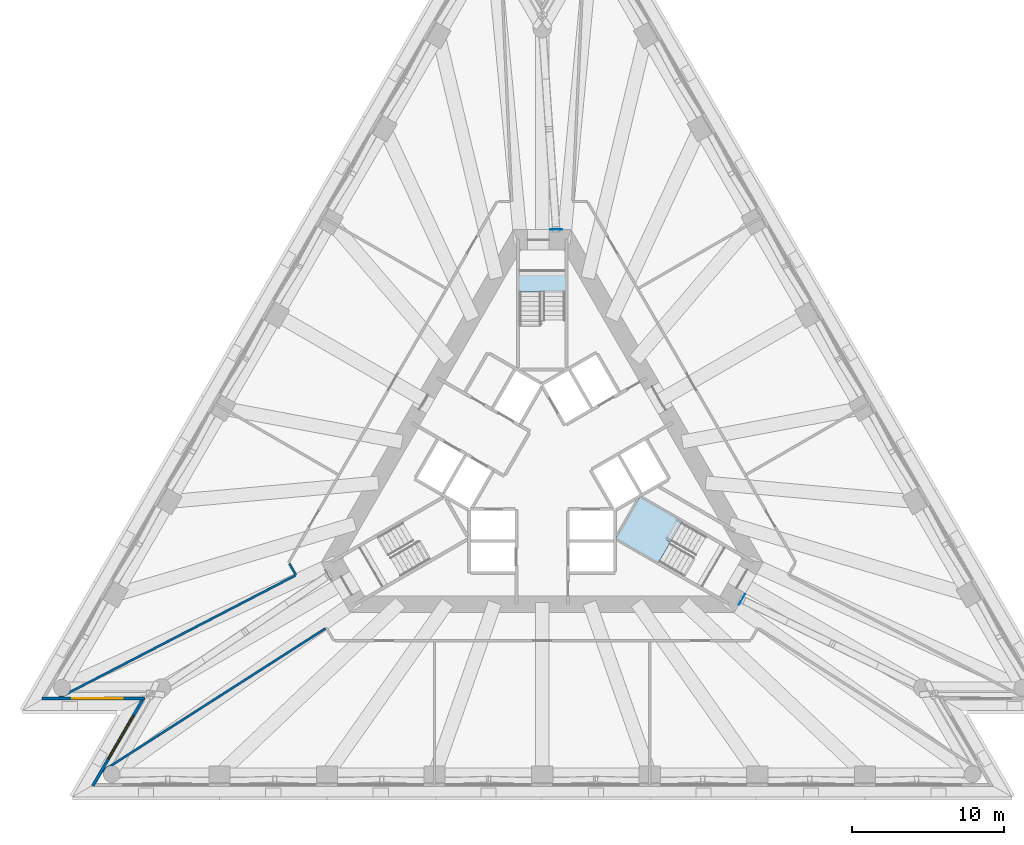
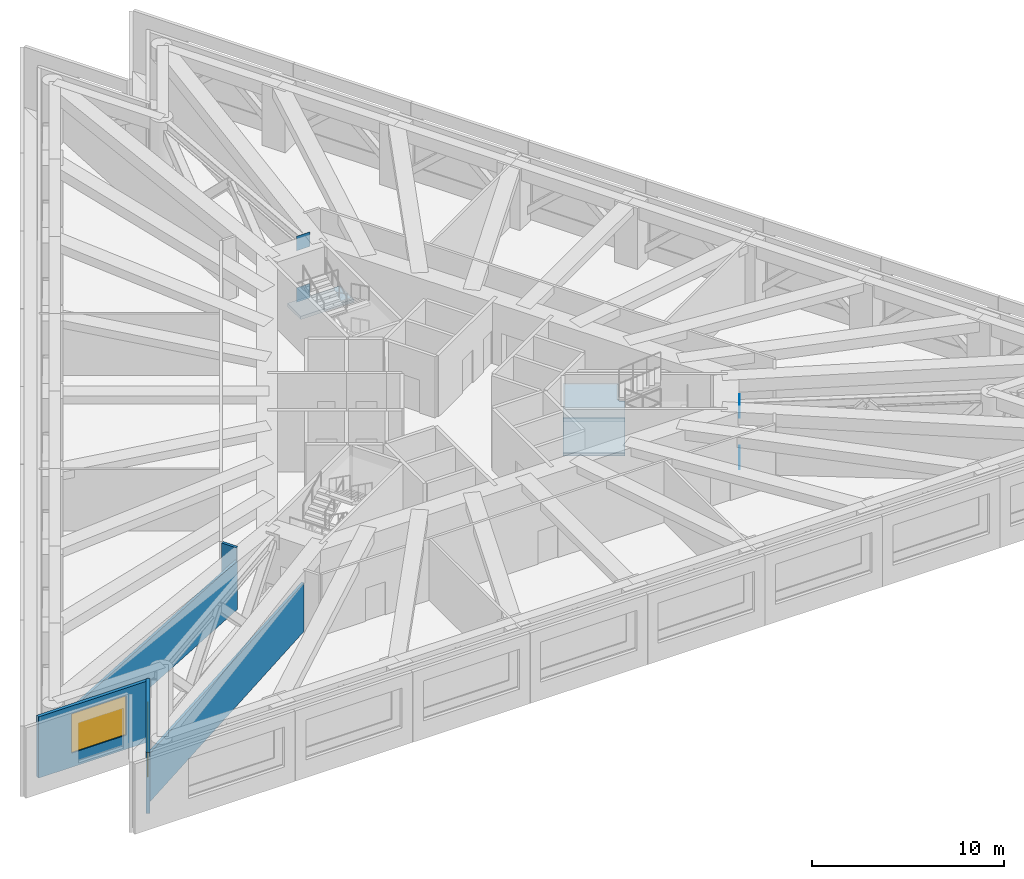
# One storey, part 6 of 13: 5 walls, 4 plates, 3 slabs, 2 windows, 2 openings, 2 elements without a shape of their own.
"""IFC4 building model written with IfcOpenShell, lengths in metres."""

from ifc_helpers import new_model, si_unit, direction, frame, frame_2d, origin, origin_2d, place, context, subcontext, project, spatial, polyline, rectangle, outline, extrude, material, layer, layer_set, layer_usage, type_object, element, fill, aggregate, save


model = new_model("IFC4")

# Units and contexts
model_context = context("Model", 3, precision=1e-05, world=origin(), true_north=direction((0.0, 1.0)))
body_context = subcontext(model_context, "Body", "Model", "MODEL_VIEW")
ifc_project = project(units=[si_unit("LENGTHUNIT", "METRE"), si_unit("AREAUNIT", "SQUARE_METRE"), si_unit("VOLUMEUNIT", "CUBIC_METRE"), si_unit("PLANEANGLEUNIT", "RADIAN"), si_unit("MASSUNIT", "GRAM", prefix="KILO")], contexts=[model_context])

# Site, building, storey
site_placement = place(None, origin())
site = spatial("IfcSite", under=ifc_project, at=site_placement, CompositionType="ELEMENT")
building_placement = place(site_placement, origin())
building = spatial("IfcBuilding", under=site, at=building_placement, Name="Triada Interchange Tower", CompositionType="ELEMENT")
storey_placement = place(building_placement, frame((0.0, 0.0, 95.300048828125)))
storey = spatial("IfcBuildingStorey", under=building, at=storey_placement, Name="L21", CompositionType="ELEMENT", Elevation=95.300048828125)

# Plates
ifc_material_1 = material(Name="Steel S460M", Category="steel")
ifc_layer_1 = layer(ifc_material_1, 0.01806640625)
ifc_layer_set_1 = layer_set([ifc_layer_1], Name="Outrigger end plate 18")
plate_type = type_object("IfcPlateType", Name="Outrigger end plate 18", PredefinedType="SHEET", material=ifc_layer_set_1)
for number, where, z_axis, x_axis, name in (
    (1, (0.9189453125, 15.708984375, -0.14990234375), (0.0, 0.0, 1.0), (0.0, 1.0, 0.0), "Outrigger end plate N bottom L21"),
    (2, (0.9189453125, 15.708984375, 3.1298828125), (0.0, 0.0, 1.0), (0.0, 1.0, 0.0), "Outrigger end plate N top L21"),
    (3, (13.14501953125, -8.64990234375, -0.14990234375), (0.0, 0.0, 1.0), (0.866025403784, -0.5, 0.0), "Outrigger end plate SE bottom L21"),
    (4, (13.14501953125, -8.64990234375, 3.1298828125), (0.0, 0.0, 1.0), (0.866025403784, -0.5, 0.0), "Outrigger end plate SE top L21"),
):
    element("IfcPlate", number, at=place(storey_placement, frame(where, z_axis=z_axis, x_axis=x_axis)), inside=storey, type_object=plate_type, Name=name, PredefinedType="SHEET", context=body_context, shape_type="SweptSolid", body=[
        extrude(rectangle(XDim=0.01806640625, YDim=0.800048828125, at=origin_2d()), origin(), (0.0, 0.0, 1.0), 0.919921875),
    ])

# Stair, slab
ifc_material_2 = material(Name="Concrete C35/45", Category="concrete")
stair_type = type_object("IfcStairType", Name="HALF TURN STAIR 1400", PredefinedType="HALF_TURN_STAIR", material=ifc_material_2)
stair_1_placement = place(storey_placement, origin())
stair_1 = element("IfcStair", 5, at=stair_1_placement, inside=storey, type_object=stair_type, Name="Exit stair S21-1", PredefinedType="HALF_TURN_STAIR")
ifc_layer_2 = layer(ifc_material_2, 0.199951171875)
ifc_layer_set_2 = layer_set([ifc_layer_2], Name="STAIR LANDING 200")
slab_type = type_object("IfcSlabType", Name="STAIR LANDING 200", PredefinedType="LANDING", material=ifc_layer_set_2)
slab_1_placement = place(storey_placement, frame((0.0, 0.0, 1.972412109375)))
slab_1 = element("IfcSlab", 6, at=slab_1_placement, type_object=slab_type, Name="S21-1 landing 3", PredefinedType="LANDING", context=body_context, shape_type="SweptSolid", body=[
    extrude(outline(polyline([(1.60009765625, 11.60009765625), (1.60009765625, 13.0), (-1.60009765625, 13.0), (-1.60009765625, 11.60009765625), (1.60009765625, 11.60009765625)])), origin(), (0.0, 0.0, 1.0), 0.199951171875),
])
aggregate(stair_1, [slab_1])

# Stair, slabs
stair_2_placement = place(storey_placement, origin())
stair_2 = element("IfcStair", 7, at=stair_2_placement, inside=storey, type_object=stair_type, Name="Exit stair S21-3", PredefinedType="HALF_TURN_STAIR")
slab_2_placement = place(storey_placement, frame((0.0, 0.0, 0.88623046875)))
slab_2 = element("IfcSlab", 8, at=slab_2_placement, type_object=slab_type, Name="S21-3 landing 1", PredefinedType="LANDING", context=body_context, shape_type="SweptSolid", body=[
    extrude(outline(polyline([(4.8291015625, -4.635986328125), (7.635009765625, -6.256103515625), (9.235107421875, -3.48388671875), (6.428955078125, -1.864013671875), (4.8291015625, -4.635986328125)])), origin(), (0.0, 0.0, 1.0), 0.199951171875),
])
slab_3_placement = place(storey_placement, frame((0.0, 0.0, 3.05859375)))
slab_3 = element("IfcSlab", 9, at=slab_3_placement, type_object=slab_type, Name="S21-3 landing 2", PredefinedType="LANDING", context=body_context, shape_type="SweptSolid", body=[
    extrude(outline(polyline([(4.8291015625, -4.635986328125), (7.635009765625, -6.256103515625), (8.43505859375, -4.8701171875), (8.1669921875, -4.715087890625), (8.967041015625, -3.3291015625), (6.428955078125, -1.864013671875), (4.8291015625, -4.635986328125)])), origin(), (0.0, 0.0, 1.0), 0.199951171875),
])
aggregate(stair_2, [slab_2, slab_3])

# Wall, opening, window
ifc_material_3 = material(Name="Cement board")
ifc_layer_3 = layer(ifc_material_3, 0.02001953125, Name="Cement board cladding")
ifc_material_4 = material(Name="Sheathing board")
ifc_layer_4 = layer(ifc_material_4, 0.014892578125, Name="Sheathing board")
ifc_material_5 = material(Name="Mineral wool")
ifc_layer_5 = layer(ifc_material_5, 0.14990234375, Name="Mineral wool between steel studs")
ifc_material_6 = material(Name="Gypsum board")
ifc_layer_6 = layer(ifc_material_6, 0.014892578125, Name="Plasterboard lining")
ifc_layer_set_3 = layer_set([ifc_layer_3, ifc_layer_4, ifc_layer_5, ifc_layer_6], Name="External wall 200")
ifc_layer_usage = layer_usage(ifc_layer_set_3, "AXIS2", "POSITIVE", -0.10009765625)
wall_type_1 = type_object("IfcWallType", Name="External wall 200", PredefinedType="ELEMENTEDWALL", material=ifc_layer_set_3)
wall_1_placement = place(storey_placement, frame((-32.902099609375, -15.156982421875, 0.0), z_axis=(0.0, 0.0, 1.0), x_axis=(1.0, 0.0, 0.0)))
wall_1 = element("IfcWall", 10, at=wall_1_placement, inside=storey, type_object=wall_type_1, material=ifc_layer_usage, Name="External wall L21 SW-1", PredefinedType="ELEMENTEDWALL", context=body_context, shape_type="SweptSolid", body=[
    extrude(rectangle(XDim=6.718994140625, YDim=0.199951171875, at=frame_2d((3.359375, 0.0))), origin(), (0.0, 0.0, 1.0), 3.89990234375),
])
opening_1_placement = place(wall_1_placement, frame((1.989990234375, 0.0, 0.89990234375)))
opening_1 = element("IfcOpeningElement", 11, at=opening_1_placement, cuts=wall_1, Name="Opening WA09", PredefinedType="OPENING", context=body_context, shape_type="SweptSolid", body=[
    extrude(rectangle(XDim=3.300048828125, YDim=2.5, at=frame_2d((1.64990234375, 1.25))), frame((0.0, 0.10986328125, 0.0), z_axis=(0.0, -1.0, 0.0), x_axis=(1.0, 0.0, 0.0)), (0.0, 0.0, 1.0), 0.219970703125),
])
ifc_material_7 = material(Name="Double glazed aluminium window", Category="aluminium")
window_type = type_object("IfcWindowType", Name="Ribbon window A pocket", PartitioningType="SINGLE_PANEL", PredefinedType="WINDOW", material=ifc_material_7)
window_1_placement = place(opening_1_placement, origin())
window_1 = element("IfcWindow", 12, at=window_1_placement, inside=storey, type_object=window_type, Name="Window L21 SW-1 1", OverallHeight=2.5, OverallWidth=3.300048828125, PartitioningType="SINGLE_PANEL", PredefinedType="WINDOW", context=body_context, shape_type="SweptSolid", body=[
    extrude(rectangle(XDim=3.300048828125, YDim=2.5, at=frame_2d((1.64990234375, 1.25))), frame((0.0, 0.030029296875, 0.0), z_axis=(0.0, -1.0, 0.0), x_axis=(1.0, 0.0, 0.0)), (0.0, 0.0, 1.0), 0.06005859375),
])
fill(opening_1, window_1)

wall_2_placement = place(storey_placement, frame((-26.2080078125, -15.0791015625, 0.0), z_axis=(0.0, 0.0, 1.0), x_axis=(-0.49993005842, -0.866065780809, 0.0)))
wall_2 = element("IfcWall", 13, at=wall_2_placement, inside=storey, type_object=wall_type_1, material=ifc_layer_usage, Name="External wall L21 SW-2", PredefinedType="ELEMENTEDWALL", context=body_context, shape_type="SweptSolid", body=[
    extrude(rectangle(XDim=6.71875, YDim=0.199951171875, at=frame_2d((3.359375, 0.0))), origin(), (0.0, 0.0, 1.0), 3.89990234375),
])
opening_2_placement = place(wall_2_placement, frame((1.389892578125, 0.0, 0.89990234375)))
opening_2 = element("IfcOpeningElement", 14, at=opening_2_placement, cuts=wall_2, Name="Opening WA10", PredefinedType="OPENING", context=body_context, shape_type="SweptSolid", body=[
    extrude(rectangle(XDim=3.300048828125, YDim=2.5, at=frame_2d((1.64990234375, 1.25))), frame((0.0, 0.10986328125, 0.0), z_axis=(0.0, -1.0, 0.0), x_axis=(1.0, 0.0, 0.0)), (0.0, 0.0, 1.0), 0.219970703125),
])
window_2_placement = place(opening_2_placement, origin())
window_2 = element("IfcWindow", 15, at=window_2_placement, inside=storey, type_object=window_type, Name="Window L21 SW-2 1", OverallHeight=2.5, OverallWidth=3.300048828125, PartitioningType="SINGLE_PANEL", PredefinedType="WINDOW", context=body_context, shape_type="SweptSolid", body=[
    extrude(rectangle(XDim=3.300048828125, YDim=2.5, at=frame_2d((1.64990234375, 1.25))), frame((0.0, 0.030029296875, 0.0), z_axis=(0.0, -1.0, 0.0), x_axis=(1.0, 0.0, 0.0)), (0.0, 0.0, 1.0), 0.06005859375),
])
fill(opening_2, window_2)

# Walls
ifc_material_8 = material(Name="Gypsum board partition")
ifc_layer_7 = layer(ifc_material_8, 0.14990234375)
ifc_layer_set_4 = layer_set([ifc_layer_7], Name="PARTITION 150 EI 180")
wall_type_2 = type_object("IfcWallType", Name="PARTITION 150 EI 180", PredefinedType="PARTITIONING", material=ifc_layer_set_4)
wall_3_placement = place(storey_placement, frame((-16.64208984375, -6.27490234375, 0.0), z_axis=(0.0, 0.0, 1.0), x_axis=(0.50010660371, -0.865963847355, 0.0)))
element("IfcWall", 16, at=wall_3_placement, inside=storey, type_object=wall_type_2, Name="Wall L21 2", PredefinedType="PARTITIONING", context=body_context, shape_type="SweptSolid", body=[
    extrude(rectangle(XDim=0.880126953125, YDim=0.14990234375, at=frame_2d((0.43994140625, 0.0))), origin(), (0.0, 0.0, 1.0), 3.89990234375),
])
wall_4_placement = place(storey_placement, frame((-31.886962890625, -15.156982421875, 0.0), z_axis=(0.0, 0.0, 1.0), x_axis=(0.88806151424, 0.459724642503, 0.0)))
element("IfcWall", 17, at=wall_4_placement, inside=storey, type_object=wall_type_2, Name="Wall L21 4", PredefinedType="PARTITIONING", context=body_context, shape_type="SweptSolid", body=[
    extrude(rectangle(XDim=17.58642578125, YDim=0.14990234375, at=frame_2d((8.793212890625, 0.0))), origin(), (0.0, 0.0, 1.0), 3.099853515625),
])
wall_5_placement = place(storey_placement, frame((-29.053955078125, -20.010009765625, 0.0), z_axis=(0.0, 0.0, 1.0), x_axis=(0.842374405573, 0.53889271737, 0.0)))
element("IfcWall", 18, at=wall_5_placement, inside=storey, type_object=wall_type_2, Name="Wall L21 5", PredefinedType="PARTITIONING", context=body_context, shape_type="SweptSolid", body=[
    extrude(rectangle(XDim=17.559814453125, YDim=0.14990234375, at=frame_2d((8.77978515625, 0.0))), origin(), (0.0, 0.0, 1.0), 3.099853515625),
])

save(model, "model.ifc")
